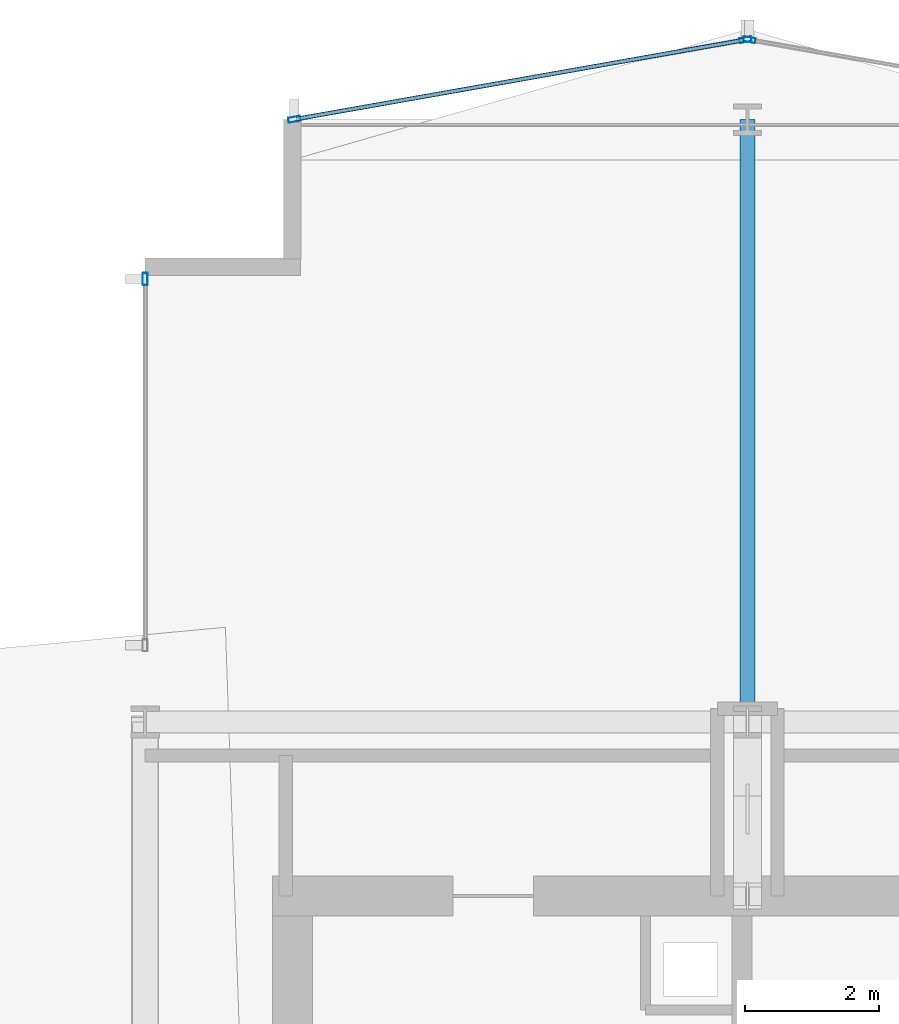
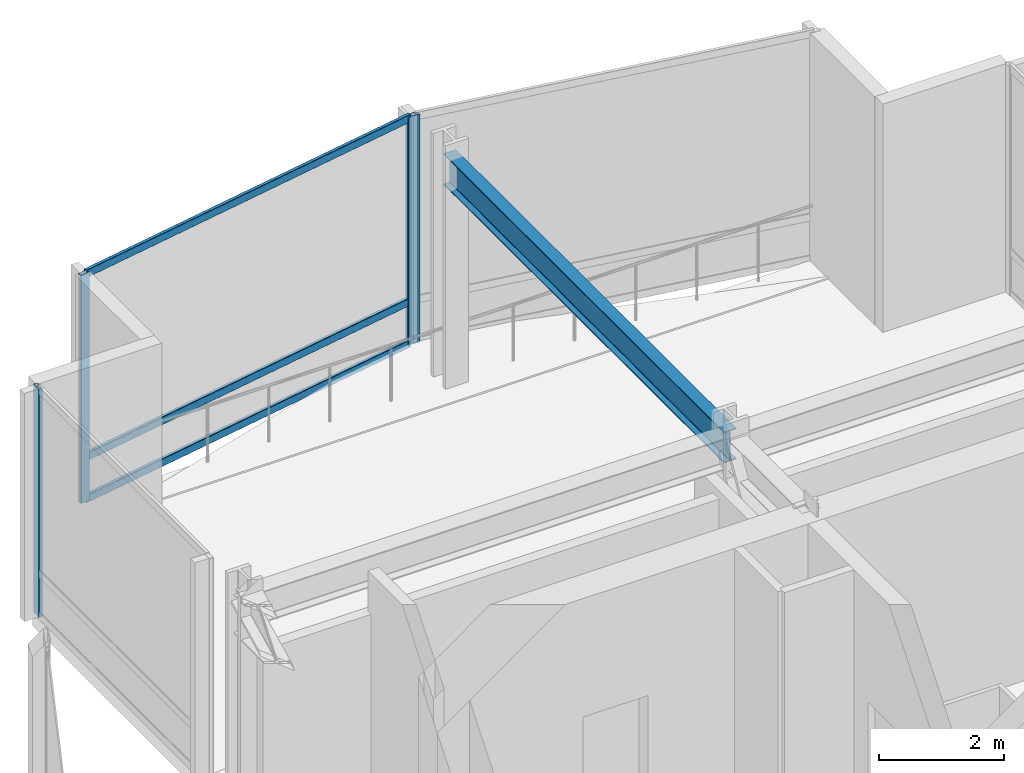
# One storey, part 25 of 42: 7 members, 1 beam, 3 elements without a shape of their own.
"""IFC4 building model written with IfcOpenShell, lengths in metres."""

from ifc_helpers import new_model, si_unit, direction, frame, origin, origin_2d, place, context, subcontext, project, spatial, hollow_rectangle, i_section, extrude, material, layer, layer_set, material_profile, profile_set, type_object, element, aggregate, save


model = new_model("IFC4")

# Units and contexts
model_context = context("Model", 3, precision=1e-05, world=origin(), true_north=direction((0.0, 1.0)))
body_context = subcontext(model_context, "Body", "Model", "MODEL_VIEW")
ifc_project = project(units=[si_unit("LENGTHUNIT", "METRE"), si_unit("AREAUNIT", "SQUARE_METRE"), si_unit("VOLUMEUNIT", "CUBIC_METRE"), si_unit("PLANEANGLEUNIT", "RADIAN"), si_unit("MASSUNIT", "GRAM", prefix="KILO")], contexts=[model_context])

# Site, building, storey
site_placement = place(None, origin())
site = spatial("IfcSite", under=ifc_project, at=site_placement, CompositionType="ELEMENT")
building_placement = place(site_placement, origin())
building = spatial("IfcBuilding", under=site, at=building_placement, Name="Solvaryn Broadcast Tower", CompositionType="ELEMENT")
storey_placement = place(building_placement, frame((0.0, 0.0, 100.199951171875)))
storey = spatial("IfcBuildingStorey", under=building, at=storey_placement, Name="L24", CompositionType="ELEMENT", Elevation=100.199951171875)

# Beam
ifc_material_1 = material(Name="Steel ASTM A992 Grade 50", Category="steel")
ifc_material_profile_1 = material_profile(ifc_material_1, i_section(OverallWidth=0.22802734375, OverallDepth=0.60791015625, WebThickness=0.01123046875, FlangeThickness=0.017333984375, FilletRadius=0.014892578125, at=origin_2d()))
ifc_profile_set_1 = profile_set([ifc_material_profile_1], Name="Steel ASTM A992 Grade 50")
beam_type = type_object("IfcBeamType", Name="BM-B2-W24X76", PredefinedType="BEAM", material=ifc_profile_set_1)
beam_placement = place(storey_placement, frame((18.0, 45.0, 4.166015625), z_axis=(0.0, 1.0, 0.0), x_axis=(-1.0, 0.0, 0.0)))
element("IfcBeam", 1, at=beam_placement, inside=storey, type_object=beam_type, Name="L24 Primary Beam Y (45-54 @ X=18)", PredefinedType="BEAM", context=body_context, shape_type="SweptSolid", body=[
    extrude(i_section(OverallWidth=0.22802734375, OverallDepth=0.60791015625, WebThickness=0.01123046875, FlangeThickness=0.017333984375, FilletRadius=0.014892578125, at=origin_2d()), origin(), (0.0, 0.0, 1.0), 9.0),
])

# Curtain wall, member
ifc_material_2 = material(Name="Aluminium and Terracotta Unitised Curtain Wall", Category="masonry")
ifc_layer = layer(ifc_material_2, 0.199951171875)
ifc_layer_set = layer_set([ifc_layer], Name="CW-SYS2-LOWMID")
curtain_wall_type = type_object("IfcCurtainWallType", Name="CW-SYS2-LOWMID", PredefinedType="NOTDEFINED", material=ifc_layer_set)
curtain_wall_1_placement = place(storey_placement, origin())
curtain_wall_1 = element("IfcCurtainWall", 2, at=curtain_wall_1_placement, inside=storey, type_object=curtain_wall_type, Name="L24 Curtain Wall W2", PredefinedType="NOTDEFINED")
ifc_material_3 = material(Name="Anodised Aluminium 6063-T6", Category="aluminium")
ifc_material_profile_2 = material_profile(ifc_material_3, hollow_rectangle(XDim=0.074951171875, YDim=0.179931640625, WallThickness=0.00390625, InnerFilletRadius=0.00390625, OuterFilletRadius=0.008056640625, at=origin_2d()))
ifc_profile_set_2 = profile_set([ifc_material_profile_2], Name="Anodised Aluminium 6063-T6")
member_type_1 = type_object("IfcMemberType", Name="CW-MUL-180", PredefinedType="MULLION", material=ifc_profile_set_2)
member_1_placement = place(storey_placement, frame((9.0, 51.6201171875, 0.0), z_axis=(0.0, 0.0, 1.0), x_axis=(-1.0, 0.0, 0.0)))
member_1 = element("IfcMember", 3, at=member_1_placement, type_object=member_type_1, Name="CWS2 mullion 2", PredefinedType="MULLION", context=body_context, shape_type="SweptSolid", body=[
    extrude(hollow_rectangle(XDim=0.074951171875, YDim=0.179931640625, WallThickness=0.00390625, InnerFilletRadius=0.00390625, OuterFilletRadius=0.008056640625, at=origin_2d()), origin(), (0.0, 0.0, 1.0), 4.469970703125),
])
aggregate(curtain_wall_1, [member_1])

curtain_wall_2_placement = place(storey_placement, origin())
curtain_wall_2 = element("IfcCurtainWall", 4, at=curtain_wall_2_placement, inside=storey, type_object=curtain_wall_type, Name="L24 Curtain Wall NT1", PredefinedType="NOTDEFINED")
member_2_placement = place(storey_placement, frame((18.029541015625, 55.19482421875, 0.0), z_axis=(0.0, 0.0, 1.0), x_axis=(-0.173785333901, -0.984783558819, 0.0)))
member_2 = element("IfcMember", 5, at=member_2_placement, type_object=member_type_1, Name="CWS2 mullion 2", PredefinedType="MULLION", context=body_context, shape_type="SweptSolid", body=[
    extrude(hollow_rectangle(XDim=0.074951171875, YDim=0.179931640625, WallThickness=0.00390625, InnerFilletRadius=0.00390625, OuterFilletRadius=0.008056640625, at=origin_2d()), origin(), (0.0, 0.0, 1.0), 4.469970703125),
])
aggregate(curtain_wall_2, [member_2])

# Curtain wall, members
curtain_wall_3_placement = place(storey_placement, origin())
curtain_wall_3 = element("IfcCurtainWall", 6, at=curtain_wall_3_placement, inside=storey, type_object=curtain_wall_type, Name="L24 Curtain Wall NT2", PredefinedType="NOTDEFINED")
member_3_placement = place(storey_placement, frame((17.970458984375, 55.19482421875, 0.0), z_axis=(0.0, 0.0, 1.0), x_axis=(0.173785333901, -0.984783558819, 0.0)))
member_3 = element("IfcMember", 7, at=member_3_placement, type_object=member_type_1, Name="CWS2 mullion 1", PredefinedType="MULLION", context=body_context, shape_type="SweptSolid", body=[
    extrude(hollow_rectangle(XDim=0.074951171875, YDim=0.179931640625, WallThickness=0.00390625, InnerFilletRadius=0.00390625, OuterFilletRadius=0.008056640625, at=origin_2d()), origin(), (0.0, 0.0, 1.0), 4.469970703125),
])
member_4_placement = place(storey_placement, frame((11.2294921875, 54.005126953125, 0.0), z_axis=(0.0, 0.0, 1.0), x_axis=(0.173785333901, -0.984783558819, 0.0)))
member_4 = element("IfcMember", 8, at=member_4_placement, type_object=member_type_1, Name="CWS2 mullion 2", PredefinedType="MULLION", context=body_context, shape_type="SweptSolid", body=[
    extrude(hollow_rectangle(XDim=0.074951171875, YDim=0.179931640625, WallThickness=0.00390625, InnerFilletRadius=0.00390625, OuterFilletRadius=0.008056640625, at=origin_2d()), origin(), (0.0, 0.0, 1.0), 4.469970703125),
])
ifc_material_4 = material(Name="Anodised Aluminium 6063-T6", Category="aluminium")
ifc_material_profile_3 = material_profile(ifc_material_4, hollow_rectangle(XDim=0.06494140625, YDim=0.14990234375, WallThickness=0.00390625, InnerFilletRadius=0.00390625, OuterFilletRadius=0.008056640625, at=origin_2d()))
ifc_profile_set_3 = profile_set([ifc_material_profile_3], Name="Anodised Aluminium 6063-T6")
member_type_2 = type_object("IfcMemberType", Name="CW-TRN-150", PredefinedType="USERDEFINED", material=ifc_profile_set_3)
member_5_placement = place(storey_placement, frame((17.94091796875, 55.189453125, 0.030029296875), z_axis=(-0.984788629673, -0.173756596613, 0.0), x_axis=(0.173756596613, -0.984788629673, 0.0)))
member_5 = element("IfcMember", 9, at=member_5_placement, type_object=member_type_2, Name="CWS2 transom 1.1", ObjectType="TRANSOM", PredefinedType="USERDEFINED", context=body_context, shape_type="SweptSolid", body=[
    extrude(hollow_rectangle(XDim=0.06494140625, YDim=0.14990234375, WallThickness=0.00390625, InnerFilletRadius=0.00390625, OuterFilletRadius=0.008056640625, at=origin_2d()), origin(), (0.0, 0.0, 1.0), 6.78515625),
])
member_6_placement = place(storey_placement, frame((17.94091796875, 55.189453125, 0.85009765625), z_axis=(-0.984788629673, -0.173756596613, 0.0), x_axis=(0.173756596613, -0.984788629673, 0.0)))
member_6 = element("IfcMember", 10, at=member_6_placement, type_object=member_type_2, Name="CWS2 transom 1.2", ObjectType="TRANSOM", PredefinedType="USERDEFINED", context=body_context, shape_type="SweptSolid", body=[
    extrude(hollow_rectangle(XDim=0.06494140625, YDim=0.14990234375, WallThickness=0.00390625, InnerFilletRadius=0.00390625, OuterFilletRadius=0.008056640625, at=origin_2d()), origin(), (0.0, 0.0, 1.0), 6.78515625),
])
member_7_placement = place(storey_placement, frame((17.94091796875, 55.189453125, 4.43994140625), z_axis=(-0.984788629673, -0.173756596613, 0.0), x_axis=(0.173756596613, -0.984788629673, 0.0)))
member_7 = element("IfcMember", 11, at=member_7_placement, type_object=member_type_2, Name="CWS2 transom 1.3", ObjectType="TRANSOM", PredefinedType="USERDEFINED", context=body_context, shape_type="SweptSolid", body=[
    extrude(hollow_rectangle(XDim=0.06494140625, YDim=0.14990234375, WallThickness=0.00390625, InnerFilletRadius=0.00390625, OuterFilletRadius=0.008056640625, at=origin_2d()), origin(), (0.0, 0.0, 1.0), 6.78515625),
])
aggregate(curtain_wall_3, [member_3, member_4, member_5, member_6, member_7])

save(model, "model.ifc")
